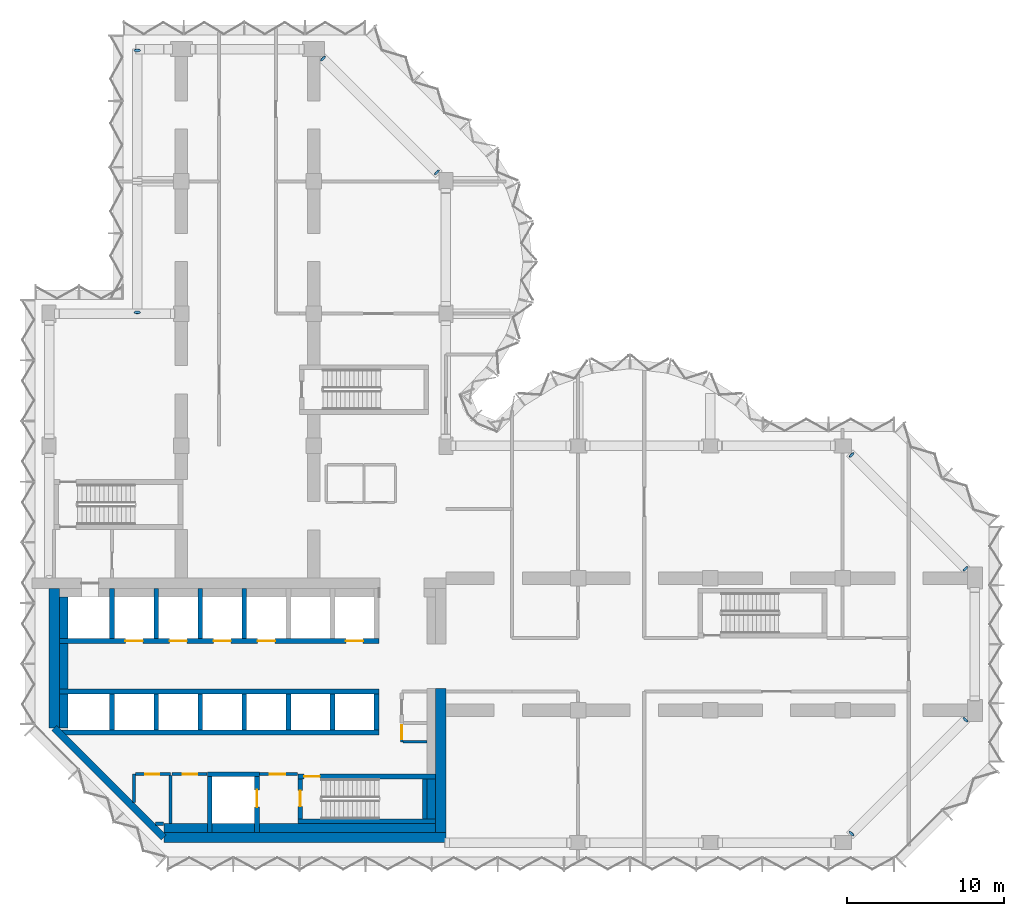
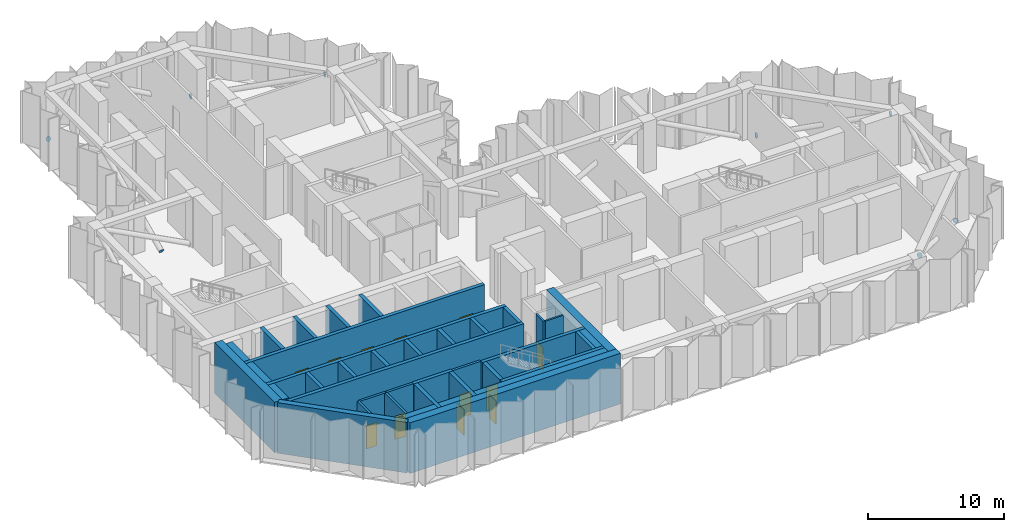
# One storey, part 4 of 13: 40 walls, 12 doors, 8 plates, 12 openings.
"""IFC4 building model written with IfcOpenShell, lengths in metres."""

from ifc_helpers import new_model, si_unit, direction, frame, frame_2d, origin, origin_2d, place, context, subcontext, project, spatial, rectangle, circle, extrude, material, layer, layer_set, material_profile, profile_set, type_object, element, fill, save


model = new_model("IFC4")

# Units and contexts
model_context = context("Model", 3, precision=1e-05, world=origin(), true_north=direction((0.0, 1.0)))
body_context = subcontext(model_context, "Body", "Model", "MODEL_VIEW")
ifc_project = project(units=[si_unit("LENGTHUNIT", "METRE"), si_unit("AREAUNIT", "SQUARE_METRE"), si_unit("VOLUMEUNIT", "CUBIC_METRE"), si_unit("PLANEANGLEUNIT", "RADIAN"), si_unit("MASSUNIT", "GRAM", prefix="KILO")], contexts=[model_context])

# Site, building, storey
site_placement = place(None, origin())
site = spatial("IfcSite", under=ifc_project, at=site_placement, CompositionType="ELEMENT")
building_placement = place(site_placement, origin())
building = spatial("IfcBuilding", under=site, at=building_placement, Name="Brevane Broadcast Tower", CompositionType="ELEMENT")
storey_placement = place(building_placement, frame((0.0, 0.0, 162.0)))
storey = spatial("IfcBuildingStorey", under=building, at=storey_placement, Name="L40", CompositionType="ELEMENT", Elevation=162.0)

# Plates
ifc_material_1 = material(Name="Steel S355", Category="steel")
ifc_material_profile = material_profile(ifc_material_1, circle(Radius=0.203125, at=origin_2d()), Name="PL 406 DIA x 15")
ifc_profile_set = profile_set([ifc_material_profile], Name="Steel S355")
plate_type = type_object("IfcPlateType", Name="STEEL END CAP PLATE 406 DIA x 15", PredefinedType="SHEET", material=ifc_profile_set)
for number, where, z_axis, x_axis, name in (
    (1, (58.20849609375, 7.80859375, 0.18505859375), (-0.651894776378, -0.668192145787, 0.358542127008), (0.715781948377, -0.698323852075, 0.0), "End cap plate EC2-43"),
    (2, (50.976318359375, 0.576416015625, 4.009765625), (-0.655649609572, -0.672040849811, 0.344216045025), (0.715781948377, -0.698323852075, 0.0), "End cap plate EC2-44"),
    (3, (50.966552734375, 24.633544921875, 0.18505859375), (0.651894776378, -0.668192145787, 0.358542127008), (0.715781948377, 0.698323852075, 0.0), "End cap plate EC2-45"),
    (4, (58.19873046875, 17.4013671875, 4.009765625), (0.655649609572, -0.672040849811, 0.344216045025), (0.715781948377, 0.698323852075, 0.0), "End cap plate EC2-46"),
):
    element("IfcPlate", number, at=place(storey_placement, frame(where, z_axis=z_axis, x_axis=x_axis)), inside=storey, type_object=plate_type, Name=name, PredefinedType="SHEET", context=body_context, shape_type="SweptSolid", body=[
        extrude(circle(Radius=0.203125, at=origin_2d()), origin(), (0.0, 0.0, 1.0), 0.014892578125),
    ])
for number, where, z_axis, x_axis, name in (
    (5, (17.391357421875, 49.80859375, 0.18505859375), (0.66111835786, -0.66111835786, 0.354746435925), (0.707106781187, 0.707106781187, 0.0), "End cap plate EC2-47"),
    (6, (24.62353515625, 42.576416015625, 4.009765625), (0.664845439424, -0.664845439424, 0.340530590924), (0.707106781187, 0.707106781187, 0.0), "End cap plate EC2-48"),
    (7, (5.60009765625, 33.672119140625, 0.177978515625), (0.0, 0.907008967748, 0.421111306455), (-1.0, 0.0, 0.0), "End cap plate EC2-50"),
    (8, (5.60009765625, 50.327880859375, 0.177978515625), (0.0, -0.907008967748, 0.421111306455), (1.0, 0.0, 0.0), "End cap plate EC2-51"),
):
    element("IfcPlate", number, at=place(storey_placement, frame(where, z_axis=z_axis, x_axis=x_axis)), inside=storey, type_object=plate_type, Name=name, PredefinedType="SHEET", context=body_context, shape_type="SweptSolid", body=[
        extrude(circle(Radius=0.203125, at=origin_2d()), origin(), (0.0, 0.0, 1.0), 0.01513671875),
    ])

# Walls
ifc_material_2 = material(Name="Concrete C32/40", Category="concrete")
ifc_layer_1 = layer(ifc_material_2, 0.550048828125)
ifc_layer_set_1 = layer_set([ifc_layer_1], Name="Core chase wall 550 mm")
wall_type_1 = type_object("IfcWallType", Name="Core chase wall 550 mm", PredefinedType="PARTITIONING", material=ifc_layer_set_1)
wall_1_placement = place(storey_placement, frame((0.925048828125, 7.286376953125, 0.0), z_axis=(0.0, 0.0, 1.0), x_axis=(0.0, 1.0, 0.0)))
element("IfcWall", 9, at=wall_1_placement, inside=storey, type_object=wall_type_1, Name="L40 chase wall LW-1", PredefinedType="PARTITIONING", context=body_context, shape_type="SweptSolid", body=[
    extrude(rectangle(XDim=2.16357421875, YDim=0.550048828125, at=frame_2d((1.081787109375, 0.0))), origin(), (0.0, 0.0, 1.0), 4.550048828125),
])
wall_2_placement = place(storey_placement, frame((0.925048828125, 9.75, 0.0), z_axis=(0.0, 0.0, 1.0), x_axis=(0.0, 1.0, 0.0)))
element("IfcWall", 10, at=wall_2_placement, inside=storey, type_object=wall_type_1, Name="L40 chase wall LW-2-1", PredefinedType="PARTITIONING", context=body_context, shape_type="SweptSolid", body=[
    extrude(rectangle(XDim=2.89990234375, YDim=0.550048828125, at=frame_2d((1.449951171875, 0.0))), origin(), (0.0, 0.0, 1.0), 4.550048828125),
])
wall_3_placement = place(storey_placement, frame((0.925048828125, 12.949951171875, 0.0), z_axis=(0.0, 0.0, 1.0), x_axis=(0.0, 1.0, 0.0)))
element("IfcWall", 11, at=wall_3_placement, inside=storey, type_object=wall_type_1, Name="L40 chase wall LW-2-2", PredefinedType="PARTITIONING", context=body_context, shape_type="SweptSolid", body=[
    extrude(rectangle(XDim=2.650146484375, YDim=0.550048828125, at=frame_2d((1.3251953125, 0.0))), origin(), (0.0, 0.0, 1.0), 4.550048828125),
])
wall_4_placement = place(storey_placement, frame((7.286376953125, 0.925048828125, 0.0), z_axis=(0.0, 0.0, 1.0), x_axis=(1.0, 0.0, 0.0)))
element("IfcWall", 12, at=wall_4_placement, inside=storey, type_object=wall_type_1, Name="L40 chase wall LS-1", PredefinedType="PARTITIONING", context=body_context, shape_type="SweptSolid", body=[
    extrude(rectangle(XDim=2.763671875, YDim=0.550048828125, at=frame_2d((1.3818359375, 0.0))), origin(), (0.0, 0.0, 1.0), 4.550048828125),
])
wall_5_placement = place(storey_placement, frame((10.35009765625, 0.925048828125, 0.0), z_axis=(0.0, 0.0, 1.0), x_axis=(1.0, 0.0, 0.0)))
element("IfcWall", 13, at=wall_5_placement, inside=storey, type_object=wall_type_1, Name="L40 chase wall LS-2-1", PredefinedType="PARTITIONING", context=body_context, shape_type="SweptSolid", body=[
    extrude(rectangle(XDim=2.699951171875, YDim=0.550048828125, at=frame_2d((1.35009765625, 0.0))), origin(), (0.0, 0.0, 1.0), 4.550048828125),
])
wall_6_placement = place(storey_placement, frame((13.35009765625, 0.925048828125, 0.0), z_axis=(0.0, 0.0, 1.0), x_axis=(1.0, 0.0, 0.0)))
element("IfcWall", 14, at=wall_6_placement, inside=storey, type_object=wall_type_1, Name="L40 chase wall LS-2-2", PredefinedType="PARTITIONING", context=body_context, shape_type="SweptSolid", body=[
    extrude(rectangle(XDim=11.199951171875, YDim=0.550048828125, at=frame_2d((5.60009765625, 0.0))), origin(), (0.0, 0.0, 1.0), 4.550048828125),
])
wall_7_placement = place(storey_placement, frame((24.27490234375, 1.5, 0.0), z_axis=(0.0, 0.0, 1.0), x_axis=(0.0, 1.0, 0.0)))
element("IfcWall", 15, at=wall_7_placement, inside=storey, type_object=wall_type_1, Name="L40 chase wall LE1-2-1", PredefinedType="PARTITIONING", context=body_context, shape_type="SweptSolid", body=[
    extrude(rectangle(XDim=2.550048828125, YDim=0.550048828125, at=frame_2d((1.27490234375, 0.0))), origin(), (0.0, 0.0, 1.0), 4.550048828125),
])

# Wall, opening, door
ifc_material_3 = material(Name="Gypsum board on steel studs", Category="steel")
ifc_layer_2 = layer(ifc_material_3, 0.14990234375)
ifc_layer_set_2 = layer_set([ifc_layer_2], Name="Core fire partition 150 mm")
wall_type_2 = type_object("IfcWallType", Name="Core fire partition 150 mm", PredefinedType="PARTITIONING", material=ifc_layer_set_2)
wall_8_placement = place(storey_placement, frame((22.39990234375, 7.5, 0.0), z_axis=(0.0, 0.0, 1.0), x_axis=(0.0, -1.0, 0.0)))
wall_8 = element("IfcWall", 16, at=wall_8_placement, inside=storey, type_object=wall_type_2, Name="L40 partition wall P19", PredefinedType="PARTITIONING", context=body_context, shape_type="SweptSolid", body=[
    extrude(rectangle(XDim=1.10009765625, YDim=0.14990234375, at=frame_2d((0.550048828125, 0.0))), origin(), (0.0, 0.0, 1.0), 4.550048828125),
])
opening_1_placement = place(wall_8_placement, frame((0.050048828125, 0.0, 0.0)))
opening_1 = element("IfcOpeningElement", 17, at=opening_1_placement, cuts=wall_8, Name="Opening L40-K17", PredefinedType="OPENING", context=body_context, shape_type="SweptSolid", body=[
    extrude(rectangle(XDim=0.89990234375, YDim=2.10009765625, at=frame_2d((0.449951171875, 1.050048828125))), frame((0.0, 0.0849609375, 0.0), z_axis=(0.0, -1.0, 0.0), x_axis=(1.0, 0.0, 0.0)), (0.0, 0.0, 1.0), 0.169921875),
])
ifc_material_4 = material(Name="Steel", Category="steel")
door_type_1 = type_object("IfcDoorType", Name="Service room door 900 x 2100", OperationType="SINGLE_SWING_LEFT", PredefinedType="DOOR", material=ifc_material_4)
door_1_placement = place(opening_1_placement, origin())
door_1 = element("IfcDoor", 18, at=door_1_placement, inside=storey, type_object=door_type_1, Name="Door L40-K17", OperationType="SINGLE_SWING_LEFT", OverallHeight=2.10009765625, OverallWidth=0.89990234375, PredefinedType="DOOR", context=body_context, shape_type="SweptSolid", body=[
    extrude(rectangle(XDim=0.89990234375, YDim=2.10009765625, at=frame_2d((0.449951171875, 1.050048828125))), frame((0.0, 0.02490234375, 0.0), z_axis=(0.0, -1.0, 0.0), x_axis=(1.0, 0.0, 0.0)), (0.0, 0.0, 1.0), 0.050048828125),
])
fill(opening_1, door_1)

# Wall
wall_9_placement = place(storey_placement, frame((22.47509765625, 6.39990234375, 0.0), z_axis=(0.0, 0.0, 1.0), x_axis=(1.0, 0.0, 0.0)))
element("IfcWall", 19, at=wall_9_placement, inside=storey, type_object=wall_type_2, Name="L40 partition wall P20", PredefinedType="PARTITIONING", context=body_context, shape_type="SweptSolid", body=[
    extrude(rectangle(XDim=1.512939453125, YDim=0.14990234375, at=frame_2d((0.75634765625, 0.0))), origin(), (0.0, 0.0, 1.0), 4.550048828125),
])

# Wall, opening, door
ifc_layer_3 = layer(ifc_material_3, 0.199951171875)
ifc_layer_set_3 = layer_set([ifc_layer_3], Name="Core fire partition 200 mm")
wall_type_3 = type_object("IfcWallType", Name="Core fire partition 200 mm", PredefinedType="PARTITIONING", material=ifc_layer_set_3)
wall_10_placement = place(storey_placement, frame((13.362060546875, 4.35009765625, 0.0), z_axis=(0.0, 0.0, 1.0), x_axis=(1.0, 0.0, 0.0)))
wall_10 = element("IfcWall", 20, at=wall_10_placement, inside=storey, type_object=wall_type_3, Name="L40 partition wall P03", PredefinedType="PARTITIONING", context=body_context, shape_type="SweptSolid", body=[
    extrude(rectangle(XDim=2.426025390625, YDim=0.199951171875, at=frame_2d((1.212890625, 0.0))), origin(), (0.0, 0.0, 1.0), 4.550048828125),
])
opening_2_placement = place(wall_10_placement, frame((0.637939453125, 0.0, 0.0)))
opening_2 = element("IfcOpeningElement", 21, at=opening_2_placement, cuts=wall_10, Name="Opening L40-K16", PredefinedType="OPENING", context=body_context, shape_type="SweptSolid", body=[
    extrude(rectangle(XDim=1.0, YDim=2.10009765625, at=frame_2d((0.5, 1.050048828125))), frame((0.0, 0.10986328125, 0.0), z_axis=(0.0, -1.0, 0.0), x_axis=(1.0, 0.0, 0.0)), (0.0, 0.0, 1.0), 0.219970703125),
])
door_type_2 = type_object("IfcDoorType", Name="Stair door 1000 x 2100", OperationType="SINGLE_SWING_LEFT", PredefinedType="DOOR", material=ifc_material_4)
door_2_placement = place(opening_2_placement, origin())
door_2 = element("IfcDoor", 22, at=door_2_placement, inside=storey, type_object=door_type_2, Name="Door L40-K16", OperationType="SINGLE_SWING_RIGHT", OverallHeight=2.10009765625, OverallWidth=1.0, PredefinedType="DOOR", context=body_context, shape_type="SweptSolid", body=[
    extrude(rectangle(XDim=1.0, YDim=2.10009765625, at=frame_2d((0.5, 1.050048828125))), frame((0.0, 0.02490234375, 0.0), z_axis=(0.0, -1.0, 0.0), x_axis=(1.0, 0.0, 0.0)), (0.0, 0.0, 1.0), 0.050048828125),
])
fill(opening_2, door_2)

# Wall
wall_11_placement = place(storey_placement, frame((5.39990234375, 2.553466796875, 0.0), z_axis=(0.0, 0.0, 1.0), x_axis=(0.0, 1.0, 0.0)))
element("IfcWall", 23, at=wall_11_placement, inside=storey, type_object=wall_type_3, Name="L40 partition wall P04", PredefinedType="PARTITIONING", context=body_context, shape_type="SweptSolid", body=[
    extrude(rectangle(XDim=1.796630859375, YDim=0.199951171875, at=frame_2d((0.8984375, 0.0))), origin(), (0.0, 0.0, 1.0), 4.550048828125),
])

# Wall, opening, door
wall_12_placement = place(storey_placement, frame((5.5, 4.35009765625, 0.0), z_axis=(0.0, 0.0, 1.0), x_axis=(1.0, 0.0, 0.0)))
wall_12 = element("IfcWall", 24, at=wall_12_placement, inside=storey, type_object=wall_type_3, Name="L40 partition wall P05", PredefinedType="PARTITIONING", context=body_context, shape_type="SweptSolid", body=[
    extrude(rectangle(XDim=2.199951171875, YDim=0.199951171875, at=frame_2d((1.10009765625, 0.0))), origin(), (0.0, 0.0, 1.0), 4.550048828125),
])
opening_3_placement = place(wall_12_placement, frame((0.60009765625, 0.0, 0.0)))
opening_3 = element("IfcOpeningElement", 25, at=opening_3_placement, cuts=wall_12, Name="Opening L40-K14", PredefinedType="OPENING", context=body_context, shape_type="SweptSolid", body=[
    extrude(rectangle(XDim=0.89990234375, YDim=2.10009765625, at=frame_2d((0.449951171875, 1.050048828125))), frame((0.0, 0.10986328125, 0.0), z_axis=(0.0, -1.0, 0.0), x_axis=(1.0, 0.0, 0.0)), (0.0, 0.0, 1.0), 0.219970703125),
])
door_3_placement = place(opening_3_placement, origin())
door_3 = element("IfcDoor", 26, at=door_3_placement, inside=storey, type_object=door_type_1, Name="Door L40-K14", OperationType="SINGLE_SWING_RIGHT", OverallHeight=2.10009765625, OverallWidth=0.89990234375, PredefinedType="DOOR", context=body_context, shape_type="SweptSolid", body=[
    extrude(rectangle(XDim=0.89990234375, YDim=2.10009765625, at=frame_2d((0.449951171875, 1.050048828125))), frame((0.0, 0.02490234375, 0.0), z_axis=(0.0, -1.0, 0.0), x_axis=(1.0, 0.0, 0.0)), (0.0, 0.0, 1.0), 0.050048828125),
])
fill(opening_3, door_3)

# Walls
wall_13_placement = place(storey_placement, frame((7.699951171875, 4.25, 0.0), z_axis=(0.0, 0.0, 1.0), x_axis=(0.0, -1.0, 0.0)))
element("IfcWall", 27, at=wall_13_placement, inside=storey, type_object=wall_type_3, Name="L40 partition wall P06", PredefinedType="PARTITIONING", context=body_context, shape_type="SweptSolid", body=[
    extrude(rectangle(XDim=3.0380859375, YDim=0.199951171875, at=frame_2d((1.51904296875, 0.0))), origin(), (0.0, 0.0, 1.0), 4.550048828125),
])
wall_14_placement = place(storey_placement, frame((7.2744140625, 1.199951171875, 0.0), z_axis=(0.0, 0.0, 1.0), x_axis=(-1.0, 0.0, 0.0)))
element("IfcWall", 28, at=wall_14_placement, inside=storey, type_object=wall_type_3, Name="L40 partition wall P07", PredefinedType="PARTITIONING", context=body_context, shape_type="SweptSolid", body=[
    extrude(rectangle(XDim=0.52099609375, YDim=0.199951171875, at=frame_2d((0.260498046875, 0.0))), origin(), (0.0, 0.0, 1.0), 4.550048828125),
])

# Wall, opening, door
wall_15_placement = place(storey_placement, frame((10.0380859375, 4.35009765625, 0.0), z_axis=(0.0, 0.0, 1.0), x_axis=(-1.0, 0.0, 0.0)))
wall_15 = element("IfcWall", 29, at=wall_15_placement, inside=storey, type_object=wall_type_3, Name="L40 partition wall P08", PredefinedType="PARTITIONING", context=body_context, shape_type="SweptSolid", body=[
    extrude(rectangle(XDim=2.238037109375, YDim=0.199951171875, at=frame_2d((1.119140625, 0.0))), origin(), (0.0, 0.0, 1.0), 4.550048828125),
])
opening_4_placement = place(wall_15_placement, frame((0.637939453125, 0.0, 0.0)))
opening_4 = element("IfcOpeningElement", 30, at=opening_4_placement, cuts=wall_15, Name="Opening L40-K15", PredefinedType="OPENING", context=body_context, shape_type="SweptSolid", body=[
    extrude(rectangle(XDim=0.89990234375, YDim=2.10009765625, at=frame_2d((0.449951171875, 1.050048828125))), frame((0.0, 0.10986328125, 0.0), z_axis=(0.0, -1.0, 0.0), x_axis=(1.0, 0.0, 0.0)), (0.0, 0.0, 1.0), 0.219970703125),
])
door_4_placement = place(opening_4_placement, origin())
door_4 = element("IfcDoor", 31, at=door_4_placement, inside=storey, type_object=door_type_1, Name="Door L40-K15", OperationType="SINGLE_SWING_LEFT", OverallHeight=2.10009765625, OverallWidth=0.89990234375, PredefinedType="DOOR", context=body_context, shape_type="SweptSolid", body=[
    extrude(rectangle(XDim=0.89990234375, YDim=2.10009765625, at=frame_2d((0.449951171875, 1.050048828125))), frame((0.0, 0.02490234375, 0.0), z_axis=(0.0, -1.0, 0.0), x_axis=(1.0, 0.0, 0.0)), (0.0, 0.0, 1.0), 0.050048828125),
])
fill(opening_4, door_4)

# Walls
ifc_material_5 = material(Name="Concrete C60/75", Category="concrete")
ifc_layer_4 = layer(ifc_material_5, 0.300048828125)
ifc_layer_set_4 = layer_set([ifc_layer_4], Name="Core wall 300 mm C60/75")
wall_type_4 = type_object("IfcWallType", Name="Core wall 300 mm C60/75", PredefinedType="SHEAR", material=ifc_layer_set_4)
for number, where, z_axis, x_axis, name in (
    (32, (0.64990234375, 7.0, 0.0), (0.0, 0.0, 1.0), (1.0, 0.0, 0.0), "L40 shaft wall SH-S012-back"),
    (33, (0.64990234375, 9.60009765625, 0.0), (0.0, 0.0, 1.0), (1.0, 0.0, 0.0), "L40 shaft wall SH-S012-front"),
):
    element("IfcWall", number, at=place(storey_placement, frame(where, z_axis=z_axis, x_axis=x_axis)), inside=storey, type_object=wall_type_4, Name=name, PredefinedType="SHEAR", context=body_context, shape_type="SweptSolid", body=[
        extrude(rectangle(XDim=20.300048828125, YDim=0.300048828125, at=frame_2d((10.14990234375, 0.0))), origin(), (0.0, 0.0, 1.0), 4.550048828125),
    ])
for number, where, z_axis, x_axis, name in (
    (34, (4.0, 7.14990234375, 0.0), (0.0, 0.0, 1.0), (0.0, 1.0, 0.0), "L40 shaft wall SH-S-P040"),
    (35, (6.800048828125, 7.14990234375, 0.0), (0.0, 0.0, 1.0), (0.0, 1.0, 0.0), "L40 shaft wall SH-S-P068"),
    (36, (9.60009765625, 7.14990234375, 0.0), (0.0, 0.0, 1.0), (0.0, 1.0, 0.0), "L40 shaft wall SH-S-P096"),
    (37, (12.39990234375, 7.14990234375, 0.0), (0.0, 0.0, 1.0), (0.0, 1.0, 0.0), "L40 shaft wall SH-S-P124"),
    (38, (15.199951171875, 7.14990234375, 0.0), (0.0, 0.0, 1.0), (0.0, 1.0, 0.0), "L40 shaft wall SH-S-P152"),
    (39, (18.0, 7.14990234375, 0.0), (0.0, 0.0, 1.0), (0.0, 1.0, 0.0), "L40 shaft wall SH-S-P180"),
    (40, (20.800048828125, 7.14990234375, 0.0), (0.0, 0.0, 1.0), (0.0, 1.0, 0.0), "L40 shaft wall SH-S-P208"),
):
    element("IfcWall", number, at=place(storey_placement, frame(where, z_axis=z_axis, x_axis=x_axis)), inside=storey, type_object=wall_type_4, Name=name, PredefinedType="SHEAR", context=body_context, shape_type="SweptSolid", body=[
        extrude(rectangle(XDim=2.300048828125, YDim=0.300048828125, at=frame_2d((1.14990234375, 0.0))), origin(), (0.0, 0.0, 1.0), 4.550048828125),
    ])

# Wall, openings, doors
wall_16_placement = place(storey_placement, frame((0.64990234375, 12.800048828125, 0.0), z_axis=(0.0, 0.0, 1.0), x_axis=(1.0, 0.0, 0.0)))
wall_16 = element("IfcWall", 41, at=wall_16_placement, inside=storey, type_object=wall_type_4, Name="L40 shaft wall SH-N012-front", PredefinedType="SHEAR", context=body_context, shape_type="SweptSolid", body=[
    extrude(rectangle(XDim=20.300048828125, YDim=0.300048828125, at=frame_2d((10.14990234375, 0.0))), origin(), (0.0, 0.0, 1.0), 4.550048828125),
])
opening_5_placement = place(wall_16_placement, frame((4.199951171875, 0.0, 0.0)))
opening_5 = element("IfcOpeningElement", 42, at=opening_5_placement, cuts=wall_16, Name="Opening LD", PredefinedType="OPENING", context=body_context, shape_type="SweptSolid", body=[
    extrude(rectangle(XDim=1.10009765625, YDim=2.300048828125, at=frame_2d((0.550048828125, 1.14990234375))), frame((0.0, 0.159912109375, 0.0), z_axis=(0.0, -1.0, 0.0), x_axis=(1.0, 0.0, 0.0)), (0.0, 0.0, 1.0), 0.320068359375),
])
opening_6_placement = place(wall_16_placement, frame((7.0, 0.0, 0.0)))
opening_6 = element("IfcOpeningElement", 43, at=opening_6_placement, cuts=wall_16, Name="Opening LD", PredefinedType="OPENING", context=body_context, shape_type="SweptSolid", body=[
    extrude(rectangle(XDim=1.10009765625, YDim=2.300048828125, at=frame_2d((0.550048828125, 1.14990234375))), frame((0.0, 0.159912109375, 0.0), z_axis=(0.0, -1.0, 0.0), x_axis=(1.0, 0.0, 0.0)), (0.0, 0.0, 1.0), 0.320068359375),
])
opening_7_placement = place(wall_16_placement, frame((9.800048828125, 0.0, 0.0)))
opening_7 = element("IfcOpeningElement", 44, at=opening_7_placement, cuts=wall_16, Name="Opening LD", PredefinedType="OPENING", context=body_context, shape_type="SweptSolid", body=[
    extrude(rectangle(XDim=1.10009765625, YDim=2.300048828125, at=frame_2d((0.550048828125, 1.14990234375))), frame((0.0, 0.159912109375, 0.0), z_axis=(0.0, -1.0, 0.0), x_axis=(1.0, 0.0, 0.0)), (0.0, 0.0, 1.0), 0.320068359375),
])
opening_8_placement = place(wall_16_placement, frame((12.60009765625, 0.0, 0.0)))
opening_8 = element("IfcOpeningElement", 45, at=opening_8_placement, cuts=wall_16, Name="Opening LD", PredefinedType="OPENING", context=body_context, shape_type="SweptSolid", body=[
    extrude(rectangle(XDim=1.10009765625, YDim=2.300048828125, at=frame_2d((0.550048828125, 1.14990234375))), frame((0.0, 0.159912109375, 0.0), z_axis=(0.0, -1.0, 0.0), x_axis=(1.0, 0.0, 0.0)), (0.0, 0.0, 1.0), 0.320068359375),
])
opening_9_placement = place(wall_16_placement, frame((18.199951171875, 0.0, 0.0)))
opening_9 = element("IfcOpeningElement", 46, at=opening_9_placement, cuts=wall_16, Name="Opening LD", PredefinedType="OPENING", context=body_context, shape_type="SweptSolid", body=[
    extrude(rectangle(XDim=1.10009765625, YDim=2.300048828125, at=frame_2d((0.550048828125, 1.14990234375))), frame((0.0, 0.159912109375, 0.0), z_axis=(0.0, -1.0, 0.0), x_axis=(1.0, 0.0, 0.0)), (0.0, 0.0, 1.0), 0.320068359375),
])
ifc_material_6 = material(Name="Stainless steel", Category="steel")
door_type_3 = type_object("IfcDoorType", Name="Lift landing door", OperationType="SLIDING_TO_LEFT", PredefinedType="DOOR", material=ifc_material_6)
door_5_placement = place(opening_5_placement, origin())
door_5 = element("IfcDoor", 47, at=door_5_placement, inside=storey, type_object=door_type_3, Name="Landing door HR1 L40", OperationType="SLIDING_TO_LEFT", OverallHeight=2.300048828125, OverallWidth=1.10009765625, PredefinedType="DOOR", context=body_context, shape_type="SweptSolid", body=[
    extrude(rectangle(XDim=1.10009765625, YDim=2.300048828125, at=frame_2d((0.550048828125, 1.14990234375))), frame((0.0, 0.02490234375, 0.0), z_axis=(0.0, -1.0, 0.0), x_axis=(1.0, 0.0, 0.0)), (0.0, 0.0, 1.0), 0.050048828125),
])
fill(opening_5, door_5)
door_6_placement = place(opening_6_placement, origin())
door_6 = element("IfcDoor", 48, at=door_6_placement, inside=storey, type_object=door_type_3, Name="Landing door HR2 L40", OperationType="SLIDING_TO_LEFT", OverallHeight=2.300048828125, OverallWidth=1.10009765625, PredefinedType="DOOR", context=body_context, shape_type="SweptSolid", body=[
    extrude(rectangle(XDim=1.10009765625, YDim=2.300048828125, at=frame_2d((0.550048828125, 1.14990234375))), frame((0.0, 0.02490234375, 0.0), z_axis=(0.0, -1.0, 0.0), x_axis=(1.0, 0.0, 0.0)), (0.0, 0.0, 1.0), 0.050048828125),
])
fill(opening_6, door_6)
door_7_placement = place(opening_7_placement, origin())
door_7 = element("IfcDoor", 49, at=door_7_placement, inside=storey, type_object=door_type_3, Name="Landing door HR3 L40", OperationType="SLIDING_TO_LEFT", OverallHeight=2.300048828125, OverallWidth=1.10009765625, PredefinedType="DOOR", context=body_context, shape_type="SweptSolid", body=[
    extrude(rectangle(XDim=1.10009765625, YDim=2.300048828125, at=frame_2d((0.550048828125, 1.14990234375))), frame((0.0, 0.02490234375, 0.0), z_axis=(0.0, -1.0, 0.0), x_axis=(1.0, 0.0, 0.0)), (0.0, 0.0, 1.0), 0.050048828125),
])
fill(opening_7, door_7)
door_8_placement = place(opening_8_placement, origin())
door_8 = element("IfcDoor", 50, at=door_8_placement, inside=storey, type_object=door_type_3, Name="Landing door HR4 L40", OperationType="SLIDING_TO_LEFT", OverallHeight=2.300048828125, OverallWidth=1.10009765625, PredefinedType="DOOR", context=body_context, shape_type="SweptSolid", body=[
    extrude(rectangle(XDim=1.10009765625, YDim=2.300048828125, at=frame_2d((0.550048828125, 1.14990234375))), frame((0.0, 0.02490234375, 0.0), z_axis=(0.0, -1.0, 0.0), x_axis=(1.0, 0.0, 0.0)), (0.0, 0.0, 1.0), 0.050048828125),
])
fill(opening_8, door_8)
door_9_placement = place(opening_9_placement, origin())
door_9 = element("IfcDoor", 51, at=door_9_placement, inside=storey, type_object=door_type_3, Name="Landing door SL1 L40", OperationType="SLIDING_TO_LEFT", OverallHeight=2.300048828125, OverallWidth=1.10009765625, PredefinedType="DOOR", context=body_context, shape_type="SweptSolid", body=[
    extrude(rectangle(XDim=1.10009765625, YDim=2.300048828125, at=frame_2d((0.550048828125, 1.14990234375))), frame((0.0, 0.02490234375, 0.0), z_axis=(0.0, -1.0, 0.0), x_axis=(1.0, 0.0, 0.0)), (0.0, 0.0, 1.0), 0.050048828125),
])
fill(opening_9, door_9)

# Walls
for number, where, z_axis, x_axis, name in (
    (52, (4.0, 12.949951171875, 0.0), (0.0, 0.0, 1.0), (0.0, 1.0, 0.0), "L40 shaft wall SH-N-P040"),
    (53, (6.800048828125, 12.949951171875, 0.0), (0.0, 0.0, 1.0), (0.0, 1.0, 0.0), "L40 shaft wall SH-N-P068"),
    (54, (9.60009765625, 12.949951171875, 0.0), (0.0, 0.0, 1.0), (0.0, 1.0, 0.0), "L40 shaft wall SH-N-P096"),
    (55, (12.39990234375, 12.949951171875, 0.0), (0.0, 0.0, 1.0), (0.0, 1.0, 0.0), "L40 shaft wall SH-N-P124"),
):
    element("IfcWall", number, at=place(storey_placement, frame(where, z_axis=z_axis, x_axis=x_axis)), inside=storey, type_object=wall_type_4, Name=name, PredefinedType="SHEAR", context=body_context, shape_type="SweptSolid", body=[
        extrude(rectangle(XDim=3.199951171875, YDim=0.300048828125, at=frame_2d((1.60009765625, 0.0))), origin(), (0.0, 0.0, 1.0), 4.550048828125),
    ])
wall_17_placement = place(storey_placement, frame((10.199951171875, 0.64990234375, 0.0), z_axis=(0.0, 0.0, 1.0), x_axis=(0.0, 1.0, 0.0)))
element("IfcWall", 56, at=wall_17_placement, inside=storey, type_object=wall_type_4, Name="L40 shaft wall FF2-W", PredefinedType="SHEAR", context=body_context, shape_type="SweptSolid", body=[
    extrude(rectangle(XDim=3.550048828125, YDim=0.300048828125, at=frame_2d((1.77490234375, 0.0))), origin(), (0.0, 0.0, 1.0), 4.550048828125),
])

# Wall, opening, door
wall_18_placement = place(storey_placement, frame((13.199951171875, 0.64990234375, 0.0), z_axis=(0.0, 0.0, 1.0), x_axis=(0.0, 1.0, 0.0)))
wall_18 = element("IfcWall", 57, at=wall_18_placement, inside=storey, type_object=wall_type_4, Name="L40 shaft wall FF2-E", PredefinedType="SHEAR", context=body_context, shape_type="SweptSolid", body=[
    extrude(rectangle(XDim=3.550048828125, YDim=0.300048828125, at=frame_2d((1.77490234375, 0.0))), origin(), (0.0, 0.0, 1.0), 4.550048828125),
])
opening_10_placement = place(wall_18_placement, frame((1.60009765625, 0.0, 0.0)))
opening_10 = element("IfcOpeningElement", 58, at=opening_10_placement, cuts=wall_18, Name="Opening LD", PredefinedType="OPENING", context=body_context, shape_type="SweptSolid", body=[
    extrude(rectangle(XDim=1.10009765625, YDim=2.300048828125, at=frame_2d((0.550048828125, 1.14990234375))), frame((0.0, 0.159912109375, 0.0), z_axis=(0.0, -1.0, 0.0), x_axis=(1.0, 0.0, 0.0)), (0.0, 0.0, 1.0), 0.320068359375),
])
door_10_placement = place(opening_10_placement, origin())
door_10 = element("IfcDoor", 59, at=door_10_placement, inside=storey, type_object=door_type_3, Name="Landing door FF2 L40", OperationType="SLIDING_TO_LEFT", OverallHeight=2.300048828125, OverallWidth=1.10009765625, PredefinedType="DOOR", context=body_context, shape_type="SweptSolid", body=[
    extrude(rectangle(XDim=1.10009765625, YDim=2.300048828125, at=frame_2d((0.550048828125, 1.14990234375))), frame((0.0, 0.02490234375, 0.0), z_axis=(0.0, -1.0, 0.0), x_axis=(1.0, 0.0, 0.0)), (0.0, 0.0, 1.0), 0.050048828125),
])
fill(opening_10, door_10)

# Walls
wall_19_placement = place(storey_placement, frame((10.050048828125, 4.35009765625, 0.0), z_axis=(0.0, 0.0, 1.0), x_axis=(1.0, 0.0, 0.0)))
element("IfcWall", 60, at=wall_19_placement, inside=storey, type_object=wall_type_4, Name="L40 shaft wall FF2-N", PredefinedType="SHEAR", context=body_context, shape_type="SweptSolid", body=[
    extrude(rectangle(XDim=3.300048828125, YDim=0.300048828125, at=frame_2d((1.64990234375, 0.0))), origin(), (0.0, 0.0, 1.0), 4.550048828125),
])
wall_20_placement = place(storey_placement, frame((15.800048828125, 1.35009765625, 0.0), z_axis=(0.0, 0.0, 1.0), x_axis=(1.0, 0.0, 0.0)))
element("IfcWall", 61, at=wall_20_placement, inside=storey, type_object=wall_type_4, Name="L40 stair wall ST-2-S", PredefinedType="SHEAR", context=body_context, shape_type="SweptSolid", body=[
    extrude(rectangle(XDim=8.75, YDim=0.300048828125, at=frame_2d((4.375, 0.0))), origin(), (0.0, 0.0, 1.0), 4.550048828125),
])

# Wall, opening, door
wall_21_placement = place(storey_placement, frame((15.800048828125, 4.199951171875, 0.0), z_axis=(0.0, 0.0, 1.0), x_axis=(1.0, 0.0, 0.0)))
wall_21 = element("IfcWall", 62, at=wall_21_placement, inside=storey, type_object=wall_type_4, Name="L40 stair wall ST-2-N", PredefinedType="SHEAR", context=body_context, shape_type="SweptSolid", body=[
    extrude(rectangle(XDim=8.75, YDim=0.300048828125, at=frame_2d((4.375, 0.0))), origin(), (0.0, 0.0, 1.0), 4.550048828125),
])
opening_11_placement = place(wall_21_placement, frame((0.39990234375, 0.0, 0.0)))
opening_11 = element("IfcOpeningElement", 63, at=opening_11_placement, cuts=wall_21, Name="Opening L40-K11", PredefinedType="OPENING", context=body_context, shape_type="SweptSolid", body=[
    extrude(rectangle(XDim=1.0, YDim=2.10009765625, at=frame_2d((0.5, 1.050048828125))), frame((0.0, 0.159912109375, 0.0), z_axis=(0.0, -1.0, 0.0), x_axis=(1.0, 0.0, 0.0)), (0.0, 0.0, 1.0), 0.320068359375),
])
door_11_placement = place(opening_11_placement, origin())
door_11 = element("IfcDoor", 64, at=door_11_placement, inside=storey, type_object=door_type_2, Name="Door L40-K11", OperationType="SINGLE_SWING_LEFT", OverallHeight=2.10009765625, OverallWidth=1.0, PredefinedType="DOOR", context=body_context, shape_type="SweptSolid", body=[
    extrude(rectangle(XDim=1.0, YDim=2.10009765625, at=frame_2d((0.5, 1.050048828125))), frame((0.0, 0.02490234375, 0.0), z_axis=(0.0, -1.0, 0.0), x_axis=(1.0, 0.0, 0.0)), (0.0, 0.0, 1.0), 0.050048828125),
])
fill(opening_11, door_11)

wall_22_placement = place(storey_placement, frame((15.949951171875, 1.5, 0.0), z_axis=(0.0, 0.0, 1.0), x_axis=(0.0, 1.0, 0.0)))
wall_22 = element("IfcWall", 65, at=wall_22_placement, inside=storey, type_object=wall_type_4, Name="L40 stair wall ST-2-W", PredefinedType="SHEAR", context=body_context, shape_type="SweptSolid", body=[
    extrude(rectangle(XDim=2.550048828125, YDim=0.300048828125, at=frame_2d((1.27490234375, 0.0))), origin(), (0.0, 0.0, 1.0), 4.550048828125),
])
opening_12_placement = place(wall_22_placement, frame((0.800048828125, 0.0, 0.0)))
opening_12 = element("IfcOpeningElement", 66, at=opening_12_placement, cuts=wall_22, Name="Opening L40-K10", PredefinedType="OPENING", context=body_context, shape_type="SweptSolid", body=[
    extrude(rectangle(XDim=1.0, YDim=2.10009765625, at=frame_2d((0.5, 1.050048828125))), frame((0.0, 0.159912109375, 0.0), z_axis=(0.0, -1.0, 0.0), x_axis=(1.0, 0.0, 0.0)), (0.0, 0.0, 1.0), 0.320068359375),
])
door_12_placement = place(opening_12_placement, origin())
door_12 = element("IfcDoor", 67, at=door_12_placement, inside=storey, type_object=door_type_2, Name="Door L40-K10", OperationType="SINGLE_SWING_RIGHT", OverallHeight=2.10009765625, OverallWidth=1.0, PredefinedType="DOOR", context=body_context, shape_type="SweptSolid", body=[
    extrude(rectangle(XDim=1.0, YDim=2.10009765625, at=frame_2d((0.5, 1.050048828125))), frame((0.0, 0.02490234375, 0.0), z_axis=(0.0, -1.0, 0.0), x_axis=(1.0, 0.0, 0.0)), (0.0, 0.0, 1.0), 0.050048828125),
])
fill(opening_12, door_12)

# Walls
wall_23_placement = place(storey_placement, frame((23.85009765625, 1.5, 0.0), z_axis=(0.0, 0.0, 1.0), x_axis=(0.0, 1.0, 0.0)))
element("IfcWall", 68, at=wall_23_placement, inside=storey, type_object=wall_type_4, Name="L40 stair wall ST-2-E", PredefinedType="SHEAR", context=body_context, shape_type="SweptSolid", body=[
    extrude(rectangle(XDim=2.550048828125, YDim=0.300048828125, at=frame_2d((1.27490234375, 0.0))), origin(), (0.0, 0.0, 1.0), 4.550048828125),
])
ifc_layer_5 = layer(ifc_material_5, 0.449951171875)
ifc_layer_set_5 = layer_set([ifc_layer_5], Name="Core wall 450 mm C60/75")
wall_type_5 = type_object("IfcWallType", Name="Core wall 450 mm C60/75", PredefinedType="SHEAR", material=ifc_layer_set_5)
wall_24_placement = place(storey_placement, frame((0.324951171875, 7.293212890625, 0.0), z_axis=(0.0, 0.0, 1.0), x_axis=(0.707106781187, -0.707106781187, 0.0)))
element("IfcWall", 69, at=wall_24_placement, inside=storey, type_object=wall_type_5, Name="L40 outer wall WC", PredefinedType="SHEAR", context=body_context, shape_type="SweptSolid", body=[
    extrude(rectangle(XDim=9.8544921875, YDim=0.449951171875, at=frame_2d((4.92724609375, 0.0))), origin(), (0.0, 0.0, 1.0), 4.550048828125),
])
ifc_layer_6 = layer(ifc_material_5, 0.64990234375)
ifc_layer_set_6 = layer_set([ifc_layer_6], Name="Core wall 650 mm C60/75")
wall_type_6 = type_object("IfcWallType", Name="Core wall 650 mm C60/75", PredefinedType="SHEAR", material=ifc_layer_set_6)
wall_25_placement = place(storey_placement, frame((7.286376953125, 0.324951171875, 0.0), z_axis=(0.0, 0.0, 1.0), x_axis=(1.0, 0.0, 0.0)))
element("IfcWall", 70, at=wall_25_placement, inside=storey, type_object=wall_type_6, Name="L40 outer wall WS", PredefinedType="SHEAR", context=body_context, shape_type="SweptSolid", body=[
    extrude(rectangle(XDim=17.91357421875, YDim=0.64990234375, at=frame_2d((8.956787109375, 0.0))), origin(), (0.0, 0.0, 1.0), 4.550048828125),
])
wall_26_placement = place(storey_placement, frame((0.324951171875, 7.286376953125, 0.0), z_axis=(0.0, 0.0, 1.0), x_axis=(0.0, 1.0, 0.0)))
element("IfcWall", 71, at=wall_26_placement, inside=storey, type_object=wall_type_6, Name="L40 outer wall WW", PredefinedType="SHEAR", context=body_context, shape_type="SweptSolid", body=[
    extrude(rectangle(XDim=8.863525390625, YDim=0.64990234375, at=frame_2d((4.431640625, 0.0))), origin(), (0.0, 0.0, 1.0), 4.550048828125),
])
wall_27_placement = place(storey_placement, frame((24.875, 0.64990234375, 0.0), z_axis=(0.0, 0.0, 1.0), x_axis=(0.0, 1.0, 0.0)))
element("IfcWall", 72, at=wall_27_placement, inside=storey, type_object=wall_type_6, Name="L40 outer wall WE1", PredefinedType="SHEAR", context=body_context, shape_type="SweptSolid", body=[
    extrude(rectangle(XDim=9.150146484375, YDim=0.64990234375, at=frame_2d((4.5751953125, 0.0))), origin(), (0.0, 0.0, 1.0), 4.550048828125),
])

save(model, "model.ifc")
